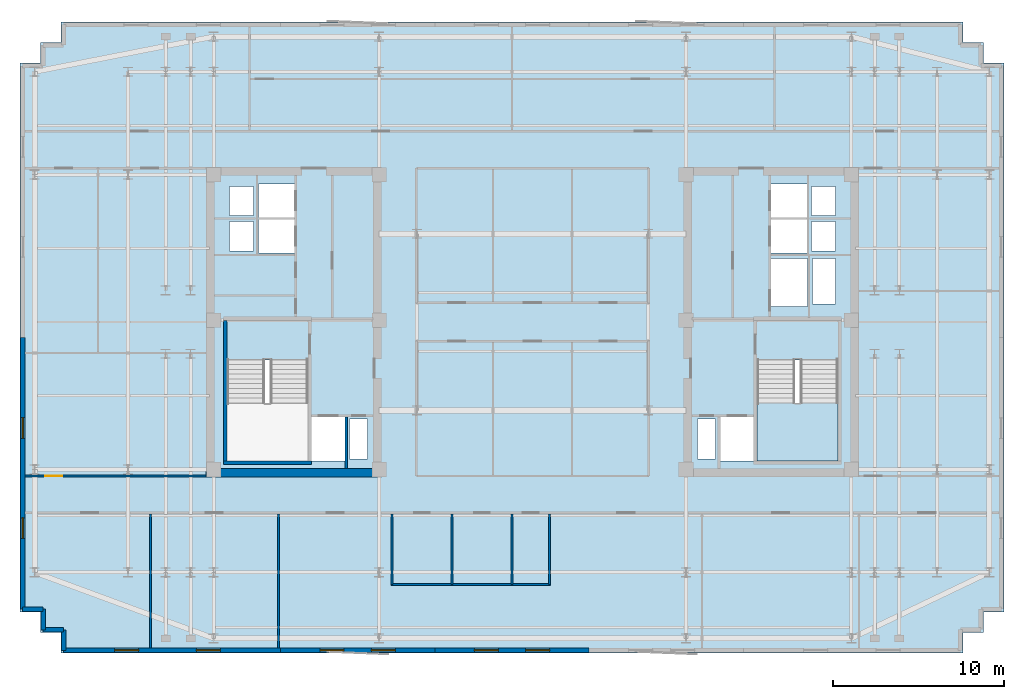
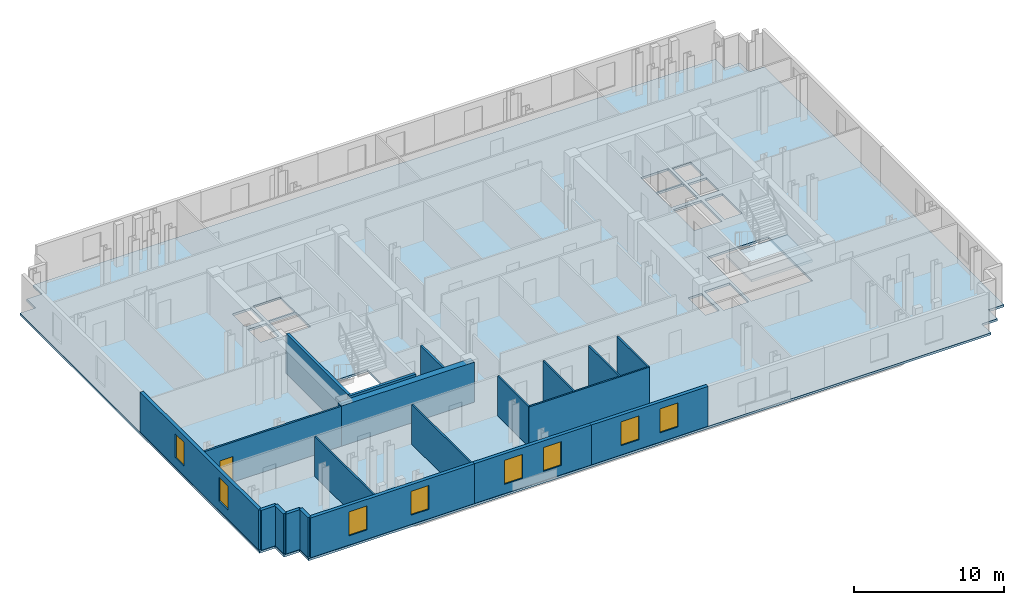
# One storey, part 3 of 9: 20 walls, 8 windows, 2 slabs, 1 door, 9 openings, 1 element without a shape of its own.
"""IFC4 building model written with IfcOpenShell, lengths in metres."""

from ifc_helpers import new_model, si_unit, direction, frame, frame_2d, origin, place, context, subcontext, project, spatial, polyline, rectangle, outline, extrude, material, layer, layer_set, type_object, element, fill, aggregate, save


model = new_model("IFC4")

# Units and contexts
model_context = context("Model", 3, precision=1e-05, world=origin(), true_north=direction((0.0, 1.0)))
body_context = subcontext(model_context, "Body", "Model", "MODEL_VIEW")
ifc_project = project(units=[si_unit("LENGTHUNIT", "METRE"), si_unit("AREAUNIT", "SQUARE_METRE"), si_unit("VOLUMEUNIT", "CUBIC_METRE"), si_unit("PLANEANGLEUNIT", "RADIAN"), si_unit("MASSUNIT", "GRAM", prefix="KILO")], contexts=[model_context])

# Site, building, storey
site_placement = place(None, origin())
site = spatial("IfcSite", under=ifc_project, at=site_placement, CompositionType="ELEMENT")
building_placement = place(site_placement, origin())
building = spatial("IfcBuilding", under=site, at=building_placement, Name="Velakula Bourse", CompositionType="ELEMENT")
storey_placement = place(building_placement, frame((0.0, 0.0, 232.64990234375)))
storey = spatial("IfcBuildingStorey", under=building, at=storey_placement, Name="L63", CompositionType="ELEMENT", Elevation=232.64990234375)

# Stair, slab
ifc_material_1 = material(Name="Concrete M45 (fck 45 MPa)", Category="concrete")
stair_type = type_object("IfcStairType", Name="STR-DOG-390", PredefinedType="HALF_TURN_STAIR", material=ifc_material_1)
stair_placement = place(storey_placement, origin())
stair = element("IfcStair", 1, at=stair_placement, inside=storey, type_object=stair_type, Name="L63 East Core Exit Stair ST-E1", PredefinedType="HALF_TURN_STAIR")
ifc_layer_1 = layer(ifc_material_1, 0.199951171875, Name="Concrete M45 (fck 45 MPa)", Category="concrete")
ifc_layer_set_1 = layer_set([ifc_layer_1], Name="Concrete M45 (fck 45 MPa)")
slab_type_1 = type_object("IfcSlabType", Name="SLB-STAIR-LND-200", PredefinedType="LANDING", material=ifc_layer_set_1)
slab_1_placement = place(storey_placement, frame((0.0, 0.0, 1.525146484375)))
slab_1 = element("IfcSlab", 2, at=slab_1_placement, type_object=slab_type_1, Name="ST-E1 landing 1", PredefinedType="LANDING", context=body_context, shape_type="SweptSolid", body=[
    extrude(outline(polyline([(13.10009765625, -4.719970703125), (13.10009765625, -8.10009765625), (17.820068359375, -8.10009765625), (17.820068359375, -4.719970703125), (13.10009765625, -4.719970703125)])), origin(), (0.0, 0.0, 1.0), 0.199951171875),
])
aggregate(stair, [slab_1])

# Slab
ifc_material_2 = material(Name="Concrete M50 (fck 50 MPa)", Category="concrete")
ifc_layer_2 = layer(ifc_material_2, 0.179931640625, Name="Concrete M50 (fck 50 MPa)", Category="concrete")
ifc_layer_set_2 = layer_set([ifc_layer_2], Name="Concrete M50 (fck 50 MPa)")
slab_type_2 = type_object("IfcSlabType", Name="SLB-TWR-180", PredefinedType="FLOOR", material=ifc_layer_set_2)
slab_2_placement = place(storey_placement, frame((0.0, 0.0, -0.179931640625)))
element("IfcSlab", 3, at=slab_2_placement, inside=storey, type_object=slab_type_2, Name="L63 Suspended Structural Floor Slab", PredefinedType="FLOOR", context=body_context, shape_type="SweptSolid", body=[
    extrude(outline(polyline([(-27.5, -19.300048828125), (25.10009765625, -19.300048828125), (25.10009765625, -18.10009765625), (26.300048828125, -18.10009765625), (26.300048828125, -16.89990234375), (27.5, -16.89990234375), (27.5, 15.10009765625), (26.300048828125, 15.10009765625), (26.300048828125, 16.300048828125), (25.10009765625, 16.300048828125), (25.10009765625, 17.5), (-27.5, 17.5), (-27.5, 16.300048828125), (-28.699951171875, 16.300048828125), (-28.699951171875, 15.10009765625), (-29.89990234375, 15.10009765625), (-29.89990234375, -16.89990234375), (-28.699951171875, -16.89990234375), (-28.699951171875, -18.10009765625), (-27.5, -18.10009765625), (-27.5, -19.300048828125)]), holes=[polyline([(-17.820068359375, -8.10009765625), (-13.10009765625, -8.10009765625), (-13.10009765625, -2.199951171875), (-17.820068359375, -2.199951171875), (-17.820068359375, -8.10009765625)]), polyline([(13.10009765625, -8.10009765625), (17.820068359375, -8.10009765625), (17.820068359375, -2.199951171875), (13.10009765625, -2.199951171875), (13.10009765625, -8.10009765625)]), polyline([(-12.89990234375, -8.10009765625), (-10.949951171875, -8.10009765625), (-10.949951171875, -5.550048828125), (-12.89990234375, -5.550048828125), (-12.89990234375, -8.10009765625)]), polyline([(10.949951171875, -8.10009765625), (12.89990234375, -8.10009765625), (12.89990234375, -5.550048828125), (10.949951171875, -5.550048828125), (10.949951171875, -8.10009765625)]), polyline([(13.89990234375, 0.919921875), (16.050048828125, 0.919921875), (16.050048828125, 3.719970703125), (13.89990234375, 3.719970703125), (13.89990234375, 0.919921875)]), polyline([(-10.679931640625, -7.97998046875), (-9.6201171875, -7.97998046875), (-9.6201171875, -5.669921875), (-10.679931640625, -5.669921875), (-10.679931640625, -7.97998046875)]), polyline([(-17.679931640625, 4.139892578125), (-16.27001953125, 4.139892578125), (-16.27001953125, 5.85009765625), (-17.679931640625, 5.85009765625), (-17.679931640625, 4.139892578125)]), polyline([(-17.679931640625, 6.2099609375), (-16.27001953125, 6.2099609375), (-16.27001953125, 7.919921875), (-17.679931640625, 7.919921875), (-17.679931640625, 6.2099609375)]), polyline([(9.6201171875, -7.97998046875), (10.679931640625, -7.97998046875), (10.679931640625, -5.669921875), (9.6201171875, -5.669921875), (9.6201171875, -7.97998046875)]), polyline([(16.27001953125, 4.139892578125), (17.679931640625, 4.139892578125), (17.679931640625, 5.85009765625), (16.27001953125, 5.85009765625), (16.27001953125, 4.139892578125)]), polyline([(16.27001953125, 6.2099609375), (17.679931640625, 6.2099609375), (17.679931640625, 7.919921875), (16.27001953125, 7.919921875), (16.27001953125, 6.2099609375)]), polyline([(16.320068359375, 1.0400390625), (17.679931640625, 1.0400390625), (17.679931640625, 3.699951171875), (16.320068359375, 3.699951171875), (16.320068359375, 1.0400390625)]), polyline([(-16.0, 4.02001953125), (-13.89990234375, 4.02001953125), (-13.89990234375, 5.969970703125), (-16.0, 5.969970703125), (-16.0, 4.02001953125)]), polyline([(-16.0, 6.090087890625), (-13.89990234375, 6.090087890625), (-13.89990234375, 8.0400390625), (-16.0, 8.0400390625), (-16.0, 6.090087890625)]), polyline([(13.89990234375, 4.02001953125), (16.0, 4.02001953125), (16.0, 5.969970703125), (13.89990234375, 5.969970703125), (13.89990234375, 4.02001953125)]), polyline([(13.89990234375, 6.090087890625), (16.0, 6.090087890625), (16.0, 8.0400390625), (13.89990234375, 8.0400390625), (13.89990234375, 6.090087890625)])]), origin(), (0.0, 0.0, 1.0), 0.179931640625),
])

# Walls
ifc_layer_3 = layer(ifc_material_2, 0.2099609375, Name="Concrete M50 (fck 50 MPa)", Category="concrete")
ifc_layer_set_3 = layer_set([ifc_layer_3], Name="Concrete M50 (fck 50 MPa)")
wall_type_1 = type_object("IfcWallType", Name="WL-CORE-210", PredefinedType="SHEAR", material=ifc_layer_set_3)
wall_1_placement = place(storey_placement, frame((-17.925048828125, -8.10009765625, 0.0), z_axis=(0.0, 0.0, 1.0), x_axis=(0.0, 1.0, 0.0)))
element("IfcWall", 4, at=wall_1_placement, inside=storey, type_object=wall_type_1, Name="L63 Core W Stairwell Shear Wall OUT", PredefinedType="SHEAR", context=body_context, shape_type="SweptSolid", body=[
    extrude(rectangle(XDim=8.2001953125, YDim=0.2099609375, at=frame_2d((4.10009765625, 0.0))), origin(), (0.0, 0.0, 1.0), 3.27001953125),
])
wall_2_placement = place(storey_placement, frame((-18.030029296875, -8.205078125, 0.0), z_axis=(0.0, 0.0, 1.0), x_axis=(1.0, 0.0, 0.0)))
element("IfcWall", 5, at=wall_2_placement, inside=storey, type_object=wall_type_1, Name="L63 Core W Stairwell Shear Wall S", PredefinedType="SHEAR", context=body_context, shape_type="SweptSolid", body=[
    extrude(rectangle(XDim=5.14013671875, YDim=0.2099609375, at=frame_2d((2.570068359375, 0.0))), origin(), (0.0, 0.0, 1.0), 3.27001953125),
])
ifc_layer_4 = layer(ifc_material_2, 0.5, Name="Concrete M50 (fck 50 MPa)", Category="concrete")
ifc_layer_set_4 = layer_set([ifc_layer_4], Name="Concrete M50 (fck 50 MPa)")
wall_type_2 = type_object("IfcWallType", Name="WL-CORE-500", PredefinedType="SHEAR", material=ifc_layer_set_4)
wall_3_placement = place(storey_placement, frame((-19.050048828125, -8.800048828125, 0.0), z_axis=(0.0, 0.0, 1.0), x_axis=(1.0, 0.0, 0.0)))
element("IfcWall", 6, at=wall_3_placement, inside=storey, type_object=wall_type_2, Name="L63 Core W Shear Wall S", PredefinedType="SHEAR", context=body_context, shape_type="SweptSolid", body=[
    extrude(rectangle(XDim=10.25, YDim=0.5, at=frame_2d((5.125, 0.0))), origin(), (0.0, 0.0, 1.0), 3.27001953125),
])

# Wall, openings, windows
ifc_material_3 = material(Name="Buff kilned clay facing brick masonry", Category="masonry")
ifc_layer_5 = layer(ifc_material_3, 0.260009765625, Name="Buff kilned clay facing brick masonry", Category="masonry")
ifc_layer_set_5 = layer_set([ifc_layer_5], Name="Buff kilned clay facing brick masonry")
wall_type_3 = type_object("IfcWallType", Name="WL-EXT-BRK-260", PredefinedType="STANDARD", material=ifc_layer_set_5)
wall_4_placement = place(storey_placement, frame((-14.699951171875, -19.14990234375, 0.0), z_axis=(0.0, 0.0, 1.0), x_axis=(-1.0, 0.0, 0.0)))
wall_4 = element("IfcWall", 7, at=wall_4_placement, inside=storey, type_object=wall_type_3, Name="L63 S Brick Spandrel Wall B1", PredefinedType="STANDARD", context=body_context, shape_type="SweptSolid", body=[
    extrude(rectangle(XDim=12.650146484375, YDim=0.260009765625, at=frame_2d((6.3251953125, 0.0))), origin(), (0.0, 0.0, 1.0), 3.25),
])
opening_1_placement = place(wall_4_placement, frame((3.5166015625, 0.0, 0.760009765625)))
opening_1 = element("IfcOpeningElement", 8, at=opening_1_placement, cuts=wall_4, Name="Opening W-03", PredefinedType="OPENING", context=body_context, shape_type="SweptSolid", body=[
    extrude(rectangle(XDim=1.39990234375, YDim=1.949951171875, at=frame_2d((0.699951171875, 0.97509765625))), frame((0.0, 0.139892578125, 0.0), z_axis=(0.0, -1.0, 0.0), x_axis=(1.0, 0.0, 0.0)), (0.0, 0.0, 1.0), 0.280029296875),
])
opening_2_placement = place(wall_4_placement, frame((8.283203125, 0.0, 0.760009765625)))
opening_2 = element("IfcOpeningElement", 9, at=opening_2_placement, cuts=wall_4, Name="Opening W-03", PredefinedType="OPENING", context=body_context, shape_type="SweptSolid", body=[
    extrude(rectangle(XDim=1.39990234375, YDim=1.949951171875, at=frame_2d((0.699951171875, 0.97509765625))), frame((0.0, 0.139892578125, 0.0), z_axis=(0.0, -1.0, 0.0), x_axis=(1.0, 0.0, 0.0)), (0.0, 0.0, 1.0), 0.280029296875),
])
ifc_material_4 = material(Name="Double-glazed solar-control Low-E glass", Category="glass")
window_type_1 = type_object("IfcWindowType", Name="WIN-TWR-1400x2100", PartitioningType="SINGLE_PANEL", PredefinedType="WINDOW", material=ifc_material_4)
window_1_placement = place(opening_1_placement, origin())
window_1 = element("IfcWindow", 10, at=window_1_placement, inside=storey, type_object=window_type_1, Name="L63 Deep-Set Recessed Window 1", OverallHeight=1.949951171875, OverallWidth=1.39990234375, PartitioningType="SINGLE_PANEL", PredefinedType="WINDOW", context=body_context, shape_type="SweptSolid", body=[
    extrude(rectangle(XDim=1.39990234375, YDim=1.949951171875, at=frame_2d((0.699951171875, 0.97509765625))), frame((0.0, 0.030029296875, 0.0), z_axis=(0.0, -1.0, 0.0), x_axis=(1.0, 0.0, 0.0)), (0.0, 0.0, 1.0), 0.06005859375),
])
fill(opening_1, window_1)
window_2_placement = place(opening_2_placement, origin())
window_2 = element("IfcWindow", 11, at=window_2_placement, inside=storey, type_object=window_type_1, Name="L63 Deep-Set Recessed Window 2", OverallHeight=1.949951171875, OverallWidth=1.39990234375, PartitioningType="SINGLE_PANEL", PredefinedType="WINDOW", context=body_context, shape_type="SweptSolid", body=[
    extrude(rectangle(XDim=1.39990234375, YDim=1.949951171875, at=frame_2d((0.699951171875, 0.97509765625))), frame((0.0, 0.030029296875, 0.0), z_axis=(0.0, -1.0, 0.0), x_axis=(1.0, 0.0, 0.0)), (0.0, 0.0, 1.0), 0.06005859375),
])
fill(opening_2, window_2)

wall_5_placement = place(storey_placement, frame((-5.699951171875, -19.14990234375, 0.0), z_axis=(0.0, 0.0, 1.0), x_axis=(-1.0, 0.0, 0.0)))
wall_5 = element("IfcWall", 12, at=wall_5_placement, inside=storey, type_object=wall_type_3, Name="L63 S Brick Spandrel Wall B2", PredefinedType="STANDARD", context=body_context, shape_type="SweptSolid", body=[
    extrude(rectangle(XDim=9.0, YDim=0.260009765625, at=frame_2d((4.5, 0.0))), origin(), (0.0, 0.0, 1.0), 3.25),
])
opening_3_placement = place(wall_5_placement, frame((2.300048828125, 0.0, 0.760009765625)))
opening_3 = element("IfcOpeningElement", 13, at=opening_3_placement, cuts=wall_5, Name="Opening W-03", PredefinedType="OPENING", context=body_context, shape_type="SweptSolid", body=[
    extrude(rectangle(XDim=1.39990234375, YDim=1.949951171875, at=frame_2d((0.699951171875, 0.97509765625))), frame((0.0, 0.139892578125, 0.0), z_axis=(0.0, -1.0, 0.0), x_axis=(1.0, 0.0, 0.0)), (0.0, 0.0, 1.0), 0.280029296875),
])
opening_4_placement = place(wall_5_placement, frame((5.300048828125, 0.0, 0.760009765625)))
opening_4 = element("IfcOpeningElement", 14, at=opening_4_placement, cuts=wall_5, Name="Opening W-03", PredefinedType="OPENING", context=body_context, shape_type="SweptSolid", body=[
    extrude(rectangle(XDim=1.39990234375, YDim=1.949951171875, at=frame_2d((0.699951171875, 0.97509765625))), frame((0.0, 0.139892578125, 0.0), z_axis=(0.0, -1.0, 0.0), x_axis=(1.0, 0.0, 0.0)), (0.0, 0.0, 1.0), 0.280029296875),
])
window_3_placement = place(opening_3_placement, origin())
window_3 = element("IfcWindow", 15, at=window_3_placement, inside=storey, type_object=window_type_1, Name="L63 Deep-Set Recessed Window 1", OverallHeight=1.949951171875, OverallWidth=1.39990234375, PartitioningType="SINGLE_PANEL", PredefinedType="WINDOW", context=body_context, shape_type="SweptSolid", body=[
    extrude(rectangle(XDim=1.39990234375, YDim=1.949951171875, at=frame_2d((0.699951171875, 0.97509765625))), frame((0.0, 0.030029296875, 0.0), z_axis=(0.0, -1.0, 0.0), x_axis=(1.0, 0.0, 0.0)), (0.0, 0.0, 1.0), 0.06005859375),
])
fill(opening_3, window_3)
window_4_placement = place(opening_4_placement, origin())
window_4 = element("IfcWindow", 16, at=window_4_placement, inside=storey, type_object=window_type_1, Name="L63 Deep-Set Recessed Window 2", OverallHeight=1.949951171875, OverallWidth=1.39990234375, PartitioningType="SINGLE_PANEL", PredefinedType="WINDOW", context=body_context, shape_type="SweptSolid", body=[
    extrude(rectangle(XDim=1.39990234375, YDim=1.949951171875, at=frame_2d((0.699951171875, 0.97509765625))), frame((0.0, 0.030029296875, 0.0), z_axis=(0.0, -1.0, 0.0), x_axis=(1.0, 0.0, 0.0)), (0.0, 0.0, 1.0), 0.06005859375),
])
fill(opening_4, window_4)

wall_6_placement = place(storey_placement, frame((3.300048828125, -19.14990234375, 0.0), z_axis=(0.0, 0.0, 1.0), x_axis=(-1.0, 0.0, 0.0)))
wall_6 = element("IfcWall", 17, at=wall_6_placement, inside=storey, type_object=wall_type_3, Name="L63 S Brick Spandrel Wall B3", PredefinedType="STANDARD", context=body_context, shape_type="SweptSolid", body=[
    extrude(rectangle(XDim=9.0, YDim=0.260009765625, at=frame_2d((4.5, 0.0))), origin(), (0.0, 0.0, 1.0), 3.25),
])
opening_5_placement = place(wall_6_placement, frame((2.300048828125, 0.0, 0.760009765625)))
opening_5 = element("IfcOpeningElement", 18, at=opening_5_placement, cuts=wall_6, Name="Opening W-03", PredefinedType="OPENING", context=body_context, shape_type="SweptSolid", body=[
    extrude(rectangle(XDim=1.39990234375, YDim=1.949951171875, at=frame_2d((0.699951171875, 0.97509765625))), frame((0.0, 0.139892578125, 0.0), z_axis=(0.0, -1.0, 0.0), x_axis=(1.0, 0.0, 0.0)), (0.0, 0.0, 1.0), 0.280029296875),
])
opening_6_placement = place(wall_6_placement, frame((5.300048828125, 0.0, 0.760009765625)))
opening_6 = element("IfcOpeningElement", 19, at=opening_6_placement, cuts=wall_6, Name="Opening W-03", PredefinedType="OPENING", context=body_context, shape_type="SweptSolid", body=[
    extrude(rectangle(XDim=1.39990234375, YDim=1.949951171875, at=frame_2d((0.699951171875, 0.97509765625))), frame((0.0, 0.139892578125, 0.0), z_axis=(0.0, -1.0, 0.0), x_axis=(1.0, 0.0, 0.0)), (0.0, 0.0, 1.0), 0.280029296875),
])
window_5_placement = place(opening_5_placement, origin())
window_5 = element("IfcWindow", 20, at=window_5_placement, inside=storey, type_object=window_type_1, Name="L63 Deep-Set Recessed Window 1", OverallHeight=1.949951171875, OverallWidth=1.39990234375, PartitioningType="SINGLE_PANEL", PredefinedType="WINDOW", context=body_context, shape_type="SweptSolid", body=[
    extrude(rectangle(XDim=1.39990234375, YDim=1.949951171875, at=frame_2d((0.699951171875, 0.97509765625))), frame((0.0, 0.030029296875, 0.0), z_axis=(0.0, -1.0, 0.0), x_axis=(1.0, 0.0, 0.0)), (0.0, 0.0, 1.0), 0.06005859375),
])
fill(opening_5, window_5)
window_6_placement = place(opening_6_placement, origin())
window_6 = element("IfcWindow", 21, at=window_6_placement, inside=storey, type_object=window_type_1, Name="L63 Deep-Set Recessed Window 2", OverallHeight=1.949951171875, OverallWidth=1.39990234375, PartitioningType="SINGLE_PANEL", PredefinedType="WINDOW", context=body_context, shape_type="SweptSolid", body=[
    extrude(rectangle(XDim=1.39990234375, YDim=1.949951171875, at=frame_2d((0.699951171875, 0.97509765625))), frame((0.0, 0.030029296875, 0.0), z_axis=(0.0, -1.0, 0.0), x_axis=(1.0, 0.0, 0.0)), (0.0, 0.0, 1.0), 0.06005859375),
])
fill(opening_6, window_6)

wall_7_placement = place(storey_placement, frame((-29.75, -16.75, 0.0), z_axis=(0.0, 0.0, 1.0), x_axis=(0.0, 1.0, 0.0)))
wall_7 = element("IfcWall", 22, at=wall_7_placement, inside=storey, type_object=wall_type_3, Name="L63 W Brick End Wall W1", PredefinedType="STANDARD", context=body_context, shape_type="SweptSolid", body=[
    extrude(rectangle(XDim=15.85009765625, YDim=0.260009765625, at=frame_2d((7.925048828125, 0.0))), origin(), (0.0, 0.0, 1.0), 3.25),
])
opening_7_placement = place(wall_7_placement, frame((4.13330078125, 0.0, 0.760009765625)))
opening_7 = element("IfcOpeningElement", 23, at=opening_7_placement, cuts=wall_7, Name="Opening W-04", PredefinedType="OPENING", context=body_context, shape_type="SweptSolid", body=[
    extrude(rectangle(XDim=1.199951171875, YDim=1.949951171875, at=frame_2d((0.60009765625, 0.97509765625))), frame((0.0, 0.139892578125, 0.0), z_axis=(0.0, -1.0, 0.0), x_axis=(1.0, 0.0, 0.0)), (0.0, 0.0, 1.0), 0.280029296875),
])
opening_8_placement = place(wall_7_placement, frame((9.966796875, 0.0, 0.760009765625)))
opening_8 = element("IfcOpeningElement", 24, at=opening_8_placement, cuts=wall_7, Name="Opening W-04", PredefinedType="OPENING", context=body_context, shape_type="SweptSolid", body=[
    extrude(rectangle(XDim=1.199951171875, YDim=1.949951171875, at=frame_2d((0.60009765625, 0.97509765625))), frame((0.0, 0.139892578125, 0.0), z_axis=(0.0, -1.0, 0.0), x_axis=(1.0, 0.0, 0.0)), (0.0, 0.0, 1.0), 0.280029296875),
])
window_type_2 = type_object("IfcWindowType", Name="WIN-TWR-1200x2100", PartitioningType="SINGLE_PANEL", PredefinedType="WINDOW", material=ifc_material_4)
window_7_placement = place(opening_7_placement, origin())
window_7 = element("IfcWindow", 25, at=window_7_placement, inside=storey, type_object=window_type_2, Name="L63 Deep-Set Recessed Window 1", OverallHeight=1.949951171875, OverallWidth=1.199951171875, PartitioningType="SINGLE_PANEL", PredefinedType="WINDOW", context=body_context, shape_type="SweptSolid", body=[
    extrude(rectangle(XDim=1.199951171875, YDim=1.949951171875, at=frame_2d((0.60009765625, 0.97509765625))), frame((0.0, 0.030029296875, 0.0), z_axis=(0.0, -1.0, 0.0), x_axis=(1.0, 0.0, 0.0)), (0.0, 0.0, 1.0), 0.06005859375),
])
fill(opening_7, window_7)
window_8_placement = place(opening_8_placement, origin())
window_8 = element("IfcWindow", 26, at=window_8_placement, inside=storey, type_object=window_type_2, Name="L63 Deep-Set Recessed Window 2", OverallHeight=1.949951171875, OverallWidth=1.199951171875, PartitioningType="SINGLE_PANEL", PredefinedType="WINDOW", context=body_context, shape_type="SweptSolid", body=[
    extrude(rectangle(XDim=1.199951171875, YDim=1.949951171875, at=frame_2d((0.60009765625, 0.97509765625))), frame((0.0, 0.030029296875, 0.0), z_axis=(0.0, -1.0, 0.0), x_axis=(1.0, 0.0, 0.0)), (0.0, 0.0, 1.0), 0.06005859375),
])
fill(opening_8, window_8)

# Walls
for number, where, z_axis, x_axis, name in (
    (27, (-29.75, -16.75, 0.0), (0.0, 0.0, 1.0), (1.0, 0.0, 0.0), "L63 Serrated Corner Brick Wall SW-1"),
    (28, (-28.550048828125, -16.75, 0.0), (0.0, 0.0, 1.0), (0.0, -1.0, 0.0), "L63 Serrated Corner Brick Wall SW-2"),
    (29, (-28.550048828125, -17.949951171875, 0.0), (0.0, 0.0, 1.0), (1.0, 0.0, 0.0), "L63 Serrated Corner Brick Wall SW-3"),
    (30, (-27.35009765625, -17.949951171875, 0.0), (0.0, 0.0, 1.0), (0.0, -1.0, 0.0), "L63 Serrated Corner Brick Wall SW-4"),
):
    element("IfcWall", number, at=place(storey_placement, frame(where, z_axis=z_axis, x_axis=x_axis)), inside=storey, type_object=wall_type_3, Name=name, PredefinedType="STANDARD", context=body_context, shape_type="SweptSolid", body=[
        extrude(rectangle(XDim=1.199951171875, YDim=0.260009765625, at=frame_2d((0.60009765625, 0.0))), origin(), (0.0, 0.0, 1.0), 3.25),
    ])
ifc_material_5 = material(Name="Fire-rated double-layer gypsum drywall partition", Category="gypsum")
ifc_layer_6 = layer(ifc_material_5, 0.1201171875, Name="Fire-rated double-layer gypsum drywall partition", Category="gypsum")
ifc_layer_set_6 = layer_set([ifc_layer_6], Name="Fire-rated double-layer gypsum drywall partition")
wall_type_4 = type_object("IfcWallType", Name="WL-PART-120", PredefinedType="STANDARD", material=ifc_layer_set_6)
wall_8_placement = place(storey_placement, frame((-8.260009765625, -15.320068359375, 0.0), z_axis=(0.0, 0.0, 1.0), x_axis=(1.0, 0.0, 0.0)))
element("IfcWall", 31, at=wall_8_placement, inside=storey, type_object=wall_type_4, Name="L63 Interior Partition WL-WC-L63-BACK", PredefinedType="STANDARD", context=body_context, shape_type="SweptSolid", body=[
    extrude(rectangle(XDim=9.320068359375, YDim=0.1201171875, at=frame_2d((4.66015625, 0.0))), origin(), (0.0, 0.0, 1.0), 3.25),
])
for number, where, z_axis, x_axis, name in (
    (32, (-8.199951171875, -15.320068359375, 0.0), (0.0, 0.0, 1.0), (0.0, 1.0, 0.0), "L63 Interior Partition WL-WC-L63-V1"),
    (33, (-4.699951171875, -15.320068359375, 0.0), (0.0, 0.0, 1.0), (0.0, 1.0, 0.0), "L63 Interior Partition WL-WC-L63-V2"),
    (34, (-1.199951171875, -15.320068359375, 0.0), (0.0, 0.0, 1.0), (0.0, 1.0, 0.0), "L63 Interior Partition WL-WC-L63-V3"),
    (35, (1.0, -15.320068359375, 0.0), (0.0, 0.0, 1.0), (0.0, 1.0, 0.0), "L63 Interior Partition WL-WC-L63-V4"),
):
    element("IfcWall", number, at=place(storey_placement, frame(where, z_axis=z_axis, x_axis=x_axis)), inside=storey, type_object=wall_type_4, Name=name, PredefinedType="STANDARD", context=body_context, shape_type="SweptSolid", body=[
        extrude(rectangle(XDim=4.130126953125, YDim=0.1201171875, at=frame_2d((2.06494140625, 0.0))), origin(), (0.0, 0.0, 1.0), 3.25),
    ])
for number, where, z_axis, x_axis, name in (
    (36, (-22.298095703125, -19.02001953125, 0.0), (0.0, 0.0, 1.0), (0.0, 1.0, 0.0), "L63 Interior Partition WL-INT-L63-SL-D5"),
    (37, (-14.822021484375, -19.02001953125, 0.0), (0.0, 0.0, 1.0), (0.0, 1.0, 0.0), "L63 Interior Partition WL-INT-L63-SL-D6"),
):
    element("IfcWall", number, at=place(storey_placement, frame(where, z_axis=z_axis, x_axis=x_axis)), inside=storey, type_object=wall_type_4, Name=name, PredefinedType="STANDARD", context=body_context, shape_type="SweptSolid", body=[
        extrude(rectangle(XDim=7.830078125, YDim=0.1201171875, at=frame_2d((3.9150390625, 0.0))), origin(), (0.0, 0.0, 1.0), 3.25),
    ])

# Wall, opening, door
ifc_layer_7 = layer(ifc_material_5, 0.139892578125, Name="Fire-rated double-layer gypsum drywall partition", Category="gypsum")
ifc_layer_set_7 = layer_set([ifc_layer_7], Name="Fire-rated double-layer gypsum drywall partition")
wall_type_5 = type_object("IfcWallType", Name="WL-PART-140", PredefinedType="STANDARD", material=ifc_layer_set_7)
wall_9_placement = place(storey_placement, frame((-29.6201171875, -8.97998046875, 0.0), z_axis=(0.0, 0.0, 1.0), x_axis=(1.0, 0.0, 0.0)))
wall_9 = element("IfcWall", 38, at=wall_9_placement, inside=storey, type_object=wall_type_5, Name="L63 Interior Partition WL-INT-L63-W-SC", PredefinedType="STANDARD", context=body_context, shape_type="SweptSolid", body=[
    extrude(rectangle(XDim=10.570068359375, YDim=0.139892578125, at=frame_2d((5.28515625, 0.0))), origin(), (0.0, 0.0, 1.0), 3.25),
])
opening_9_placement = place(wall_9_placement, frame((1.191162109375, 0.0, 0.0)))
opening_9 = element("IfcOpeningElement", 39, at=opening_9_placement, cuts=wall_9, Name="Opening D-OF1", PredefinedType="OPENING", context=body_context, shape_type="SweptSolid", body=[
    extrude(rectangle(XDim=1.0, YDim=2.080078125, at=frame_2d((0.5, 1.0400390625))), frame((0.0, 0.079833984375, 0.0), z_axis=(0.0, -1.0, 0.0), x_axis=(1.0, 0.0, 0.0)), (0.0, 0.0, 1.0), 0.159912109375),
])
ifc_material_6 = material(Name="Fire-rated hardwood flush architectural door", Category="wood")
door_type = type_object("IfcDoorType", Name="DR-OFF-1000", OperationType="NOTDEFINED", PredefinedType="DOOR", material=ifc_material_6)
door_placement = place(opening_9_placement, origin())
door = element("IfcDoor", 40, at=door_placement, inside=storey, type_object=door_type, Name="L63 Legal Counsel Office Door", OperationType="SINGLE_SWING_RIGHT", OverallHeight=2.080078125, OverallWidth=1.0, PredefinedType="DOOR", context=body_context, shape_type="SweptSolid", body=[
    extrude(rectangle(XDim=1.0, YDim=2.080078125, at=frame_2d((0.5, 1.0400390625))), frame((0.0, 0.02490234375, 0.0), z_axis=(0.0, -1.0, 0.0), x_axis=(1.0, 0.0, 0.0)), (0.0, 0.0, 1.0), 0.050048828125),
])
fill(opening_9, door)

# Wall
ifc_material_7 = material(Name="Autoclaved aerated concrete blockwork masonry", Category="masonry")
ifc_layer_8 = layer(ifc_material_7, 0.14990234375, Name="Autoclaved aerated concrete blockwork masonry", Category="masonry")
ifc_layer_set_8 = layer_set([ifc_layer_8], Name="Autoclaved aerated concrete blockwork masonry")
wall_type_6 = type_object("IfcWallType", Name="WL-SHAFT-150", PredefinedType="STANDARD", material=ifc_layer_set_8)
wall_10_placement = place(storey_placement, frame((-10.875, -8.550048828125, 0.0), z_axis=(0.0, 0.0, 1.0), x_axis=(0.0, 1.0, 0.0)))
element("IfcWall", 41, at=wall_10_placement, inside=storey, type_object=wall_type_6, Name="L63 Interior Partition WL-CRW-L63-FR-DIV", PredefinedType="STANDARD", context=body_context, shape_type="SweptSolid", body=[
    extrude(rectangle(XDim=3.0, YDim=0.14990234375, at=frame_2d((1.5, 0.0))), origin(), (0.0, 0.0, 1.0), 3.25),
])

save(model, "model.ifc")
